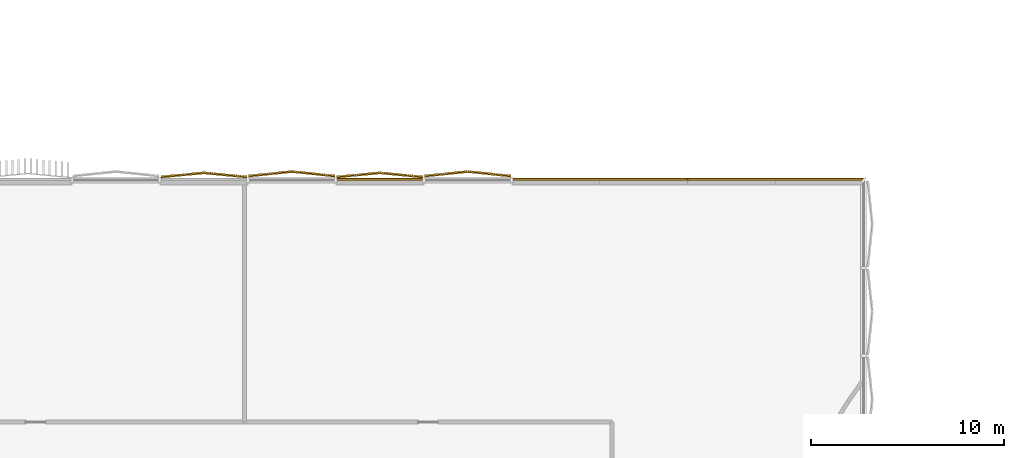
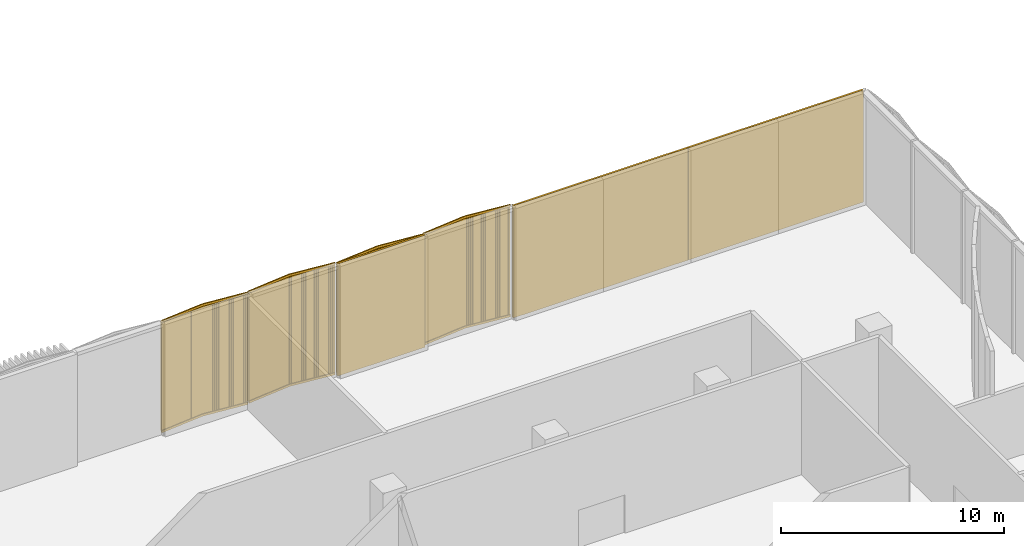
# One storey, part 31 of 32: 7 coverings.
"""IFC4 building model written with IfcOpenShell, lengths in metres."""

from ifc_helpers import new_model, si_unit, direction, frame, frame_2d, origin, origin_2d, place, context, subcontext, project, spatial, rectangle, extrude, source, transform, mapped, material, layer, layer_set, type_object, element, save


model = new_model("IFC4")

# Units and contexts
model_context = context("Model", 3, precision=1e-05, world=origin(), true_north=direction((0.0, 1.0)))
body_context = subcontext(model_context, "Body", "Model", "MODEL_VIEW")
ifc_project = project(units=[si_unit("LENGTHUNIT", "METRE"), si_unit("AREAUNIT", "SQUARE_METRE"), si_unit("VOLUMEUNIT", "CUBIC_METRE"), si_unit("PLANEANGLEUNIT", "RADIAN"), si_unit("MASSUNIT", "GRAM", prefix="KILO")], contexts=[model_context])

# Site, building, storey
site_placement = place(None, origin())
site = spatial("IfcSite", under=ifc_project, at=site_placement, CompositionType="ELEMENT")
building_placement = place(site_placement, origin())
building = spatial("IfcBuilding", under=site, at=building_placement, Name="Tamra Quay Hotel Tower", CompositionType="ELEMENT")
storey_placement = place(building_placement, frame((0.0, 0.0, 7.5)))
storey = spatial("IfcBuildingStorey", under=building, at=storey_placement, Name="L01", CompositionType="ELEMENT", Elevation=7.5)

# Coverings
ifc_material_1 = material(Name="Precast concrete M60 terracotta-coloured pierced relief", Category="masonry")
ifc_layer = layer(ifc_material_1, 0.10009765625)
ifc_layer_set = layer_set([ifc_layer], Name="PIERCED RELIEF PANEL 100")
covering_type_1 = type_object("IfcCoveringType", Name="PIERCED RELIEF PANEL 100", PredefinedType="CLADDING", material=ifc_layer_set)
for number, where, z_axis, x_axis, name in (
    (1, (-34.546142578125, 32.050048828125, 0.0), (0.0, 0.0, 1.0), (-1.0, 0.0, 0.0), "Relief panel L01.NW.11"),
    (2, (-43.638427734375, 32.050048828125, 0.0), (0.0, 0.0, 1.0), (-1.0, 0.0, 0.0), "Relief panel L01.NW.13"),
):
    element("IfcCovering", number, at=place(storey_placement, frame(where, z_axis=z_axis, x_axis=x_axis)), inside=storey, type_object=covering_type_1, Name=name, PredefinedType="CLADDING", context=body_context, shape_type="SweptSolid", body=[
        extrude(rectangle(XDim=9.072265625, YDim=0.10009765625, at=origin_2d()), origin(), (0.0, 0.0, 1.0), 6.14990234375),
    ])
covering_placement = place(storey_placement, frame((-55.00390625, 32.050048828125, 0.0), z_axis=(0.0, 0.0, 1.0), x_axis=(-1.0, 0.0, 0.0)))
element("IfcCovering", 3, at=covering_placement, inside=storey, type_object=covering_type_1, Name="Relief panel L01.NW.16", PredefinedType="CLADDING", context=body_context, shape_type="SweptSolid", body=[
    extrude(rectangle(XDim=4.526123046875, YDim=0.10009765625, at=origin_2d()), origin(), (0.0, 0.0, 1.0), 6.14990234375),
])
ifc_material_2 = material(Name="Terracotta baguette extruded", Category="masonry")
covering_type_2 = type_object("IfcCoveringType", Name="BAGUETTE SCREEN PODIUM-SHALLOW H6150", PredefinedType="USERDEFINED", material=ifc_material_2)
shared_shape_1 = source(origin(), body_context, "Body", "SweptSolid", [
    extrude(rectangle(XDim=2.244873046875, YDim=0.06005859375, at=frame_2d((1.12255859375, 0.030029296875))), frame((-2.23876953125, -0.0576171875, -0.1201171875), z_axis=(0.0, 0.0, 1.0), x_axis=(0.994521895368, -0.104528463268, 0.0)), (0.0, 0.0, 1.0), 0.1201171875),
    extrude(rectangle(XDim=2.244873046875, YDim=0.06005859375, at=frame_2d((1.12255859375, 0.030029296875))), frame((-2.23876953125, -0.0576171875, -6.14990234375), z_axis=(0.0, 0.0, 1.0), x_axis=(0.994521895368, -0.104528463268, 0.0)), (0.0, 0.0, 1.0), 0.1201171875),
    extrude(rectangle(XDim=0.094970703125, YDim=0.10009765625, at=frame_2d((0.04736328125, 0.050048828125))), frame((-2.229248046875, -0.13330078125, -6.090087890625)), (0.0, 0.0, 1.0), 6.030029296875),
    extrude(rectangle(XDim=0.094970703125, YDim=0.10009765625, at=frame_2d((0.04736328125, 0.050048828125))), frame((-2.127685546875, -0.14404296875, -6.090087890625)), (0.0, 0.0, 1.0), 6.030029296875),
    extrude(rectangle(XDim=0.094970703125, YDim=0.10009765625, at=frame_2d((0.04736328125, 0.050048828125))), frame((-2.0263671875, -0.154541015625, -6.090087890625)), (0.0, 0.0, 1.0), 6.030029296875),
    extrude(rectangle(XDim=0.094970703125, YDim=0.10009765625, at=frame_2d((0.04736328125, 0.050048828125))), frame((-1.9248046875, -0.165283203125, -6.090087890625)), (0.0, 0.0, 1.0), 6.030029296875),
    extrude(rectangle(XDim=0.094970703125, YDim=0.10009765625, at=frame_2d((0.04736328125, 0.050048828125))), frame((-1.8232421875, -0.176025390625, -6.090087890625)), (0.0, 0.0, 1.0), 6.030029296875),
    extrude(rectangle(XDim=0.094970703125, YDim=0.10009765625, at=frame_2d((0.04736328125, 0.050048828125))), frame((-1.721923828125, -0.186767578125, -6.090087890625)), (0.0, 0.0, 1.0), 6.030029296875),
    extrude(rectangle(XDim=0.094970703125, YDim=0.10009765625, at=frame_2d((0.04736328125, 0.050048828125))), frame((-1.620361328125, -0.197265625, -6.090087890625)), (0.0, 0.0, 1.0), 6.030029296875),
    extrude(rectangle(XDim=0.094970703125, YDim=0.10009765625, at=frame_2d((0.04736328125, 0.050048828125))), frame((-1.518798828125, -0.2080078125, -6.090087890625)), (0.0, 0.0, 1.0), 6.030029296875),
    extrude(rectangle(XDim=0.094970703125, YDim=0.10009765625, at=frame_2d((0.04736328125, 0.050048828125))), frame((-1.41748046875, -0.21875, -6.090087890625)), (0.0, 0.0, 1.0), 6.030029296875),
    extrude(rectangle(XDim=0.094970703125, YDim=0.10009765625, at=frame_2d((0.04736328125, 0.050048828125))), frame((-1.31591796875, -0.229248046875, -6.090087890625)), (0.0, 0.0, 1.0), 6.030029296875),
    extrude(rectangle(XDim=0.094970703125, YDim=0.10009765625, at=frame_2d((0.04736328125, 0.050048828125))), frame((-1.214599609375, -0.239990234375, -6.090087890625)), (0.0, 0.0, 1.0), 6.030029296875),
    extrude(rectangle(XDim=0.094970703125, YDim=0.10009765625, at=frame_2d((0.04736328125, 0.050048828125))), frame((-1.113037109375, -0.250732421875, -6.090087890625)), (0.0, 0.0, 1.0), 6.030029296875),
    extrude(rectangle(XDim=0.094970703125, YDim=0.10009765625, at=frame_2d((0.04736328125, 0.050048828125))), frame((-1.011474609375, -0.26123046875, -6.090087890625)), (0.0, 0.0, 1.0), 6.030029296875),
    extrude(rectangle(XDim=0.094970703125, YDim=0.10009765625, at=frame_2d((0.04736328125, 0.050048828125))), frame((-0.91015625, -0.27197265625, -6.090087890625)), (0.0, 0.0, 1.0), 6.030029296875),
    extrude(rectangle(XDim=0.094970703125, YDim=0.10009765625, at=frame_2d((0.04736328125, 0.050048828125))), frame((-0.80859375, -0.28271484375, -6.090087890625)), (0.0, 0.0, 1.0), 6.030029296875),
    extrude(rectangle(XDim=0.094970703125, YDim=0.10009765625, at=frame_2d((0.04736328125, 0.050048828125))), frame((-0.70703125, -0.293212890625, -6.090087890625)), (0.0, 0.0, 1.0), 6.030029296875),
    extrude(rectangle(XDim=0.094970703125, YDim=0.10009765625, at=frame_2d((0.04736328125, 0.050048828125))), frame((-0.605712890625, -0.303955078125, -6.090087890625)), (0.0, 0.0, 1.0), 6.030029296875),
    extrude(rectangle(XDim=0.094970703125, YDim=0.10009765625, at=frame_2d((0.04736328125, 0.050048828125))), frame((-0.504150390625, -0.314697265625, -6.090087890625)), (0.0, 0.0, 1.0), 6.030029296875),
    extrude(rectangle(XDim=0.094970703125, YDim=0.10009765625, at=frame_2d((0.04736328125, 0.050048828125))), frame((-0.402587890625, -0.325439453125, -6.090087890625)), (0.0, 0.0, 1.0), 6.030029296875),
    extrude(rectangle(XDim=0.094970703125, YDim=0.10009765625, at=frame_2d((0.04736328125, 0.050048828125))), frame((-0.30126953125, -0.3359375, -6.090087890625)), (0.0, 0.0, 1.0), 6.030029296875),
    extrude(rectangle(XDim=0.094970703125, YDim=0.10009765625, at=frame_2d((0.04736328125, 0.050048828125))), frame((-0.19970703125, -0.3466796875, -6.090087890625)), (0.0, 0.0, 1.0), 6.030029296875),
    extrude(rectangle(XDim=0.094970703125, YDim=0.10009765625, at=frame_2d((0.04736328125, 0.050048828125))), frame((-0.09814453125, -0.357421875, -6.090087890625)), (0.0, 0.0, 1.0), 6.030029296875),
    extrude(rectangle(XDim=2.244873046875, YDim=0.06005859375, at=frame_2d((1.12255859375, 0.030029296875))), frame((0.00634765625, -0.292236328125, -0.1201171875), z_axis=(0.0, 0.0, 1.0), x_axis=(0.994521895368, 0.104528463268, 0.0)), (0.0, 0.0, 1.0), 0.1201171875),
    extrude(rectangle(XDim=2.244873046875, YDim=0.06005859375, at=frame_2d((1.12255859375, 0.030029296875))), frame((0.00634765625, -0.292236328125, -6.14990234375), z_axis=(0.0, 0.0, 1.0), x_axis=(0.994521895368, 0.104528463268, 0.0)), (0.0, 0.0, 1.0), 0.1201171875),
    extrude(rectangle(XDim=0.094970703125, YDim=0.10009765625, at=frame_2d((0.04736328125, 0.050048828125))), frame((0.003173828125, -0.357421875, -6.090087890625)), (0.0, 0.0, 1.0), 6.030029296875),
    extrude(rectangle(XDim=0.094970703125, YDim=0.10009765625, at=frame_2d((0.04736328125, 0.050048828125))), frame((0.104736328125, -0.3466796875, -6.090087890625)), (0.0, 0.0, 1.0), 6.030029296875),
    extrude(rectangle(XDim=0.094970703125, YDim=0.10009765625, at=frame_2d((0.04736328125, 0.050048828125))), frame((0.206298828125, -0.3359375, -6.090087890625)), (0.0, 0.0, 1.0), 6.030029296875),
    extrude(rectangle(XDim=0.094970703125, YDim=0.10009765625, at=frame_2d((0.04736328125, 0.050048828125))), frame((0.3076171875, -0.325439453125, -6.090087890625)), (0.0, 0.0, 1.0), 6.030029296875),
    extrude(rectangle(XDim=0.094970703125, YDim=0.10009765625, at=frame_2d((0.04736328125, 0.050048828125))), frame((0.4091796875, -0.314697265625, -6.090087890625)), (0.0, 0.0, 1.0), 6.030029296875),
    extrude(rectangle(XDim=0.094970703125, YDim=0.10009765625, at=frame_2d((0.04736328125, 0.050048828125))), frame((0.510498046875, -0.303955078125, -6.090087890625)), (0.0, 0.0, 1.0), 6.030029296875),
    extrude(rectangle(XDim=0.094970703125, YDim=0.10009765625, at=frame_2d((0.04736328125, 0.050048828125))), frame((0.612060546875, -0.293212890625, -6.090087890625)), (0.0, 0.0, 1.0), 6.030029296875),
    extrude(rectangle(XDim=0.094970703125, YDim=0.10009765625, at=frame_2d((0.04736328125, 0.050048828125))), frame((0.713623046875, -0.28271484375, -6.090087890625)), (0.0, 0.0, 1.0), 6.030029296875),
    extrude(rectangle(XDim=0.094970703125, YDim=0.10009765625, at=frame_2d((0.04736328125, 0.050048828125))), frame((0.81494140625, -0.27197265625, -6.090087890625)), (0.0, 0.0, 1.0), 6.030029296875),
    extrude(rectangle(XDim=0.094970703125, YDim=0.10009765625, at=frame_2d((0.04736328125, 0.050048828125))), frame((0.91650390625, -0.26123046875, -6.090087890625)), (0.0, 0.0, 1.0), 6.030029296875),
    extrude(rectangle(XDim=0.094970703125, YDim=0.10009765625, at=frame_2d((0.04736328125, 0.050048828125))), frame((1.01806640625, -0.250732421875, -6.090087890625)), (0.0, 0.0, 1.0), 6.030029296875),
    extrude(rectangle(XDim=0.094970703125, YDim=0.10009765625, at=frame_2d((0.04736328125, 0.050048828125))), frame((1.119384765625, -0.239990234375, -6.090087890625)), (0.0, 0.0, 1.0), 6.030029296875),
    extrude(rectangle(XDim=0.094970703125, YDim=0.10009765625, at=frame_2d((0.04736328125, 0.050048828125))), frame((1.220947265625, -0.229248046875, -6.090087890625)), (0.0, 0.0, 1.0), 6.030029296875),
    extrude(rectangle(XDim=0.094970703125, YDim=0.10009765625, at=frame_2d((0.04736328125, 0.050048828125))), frame((1.322509765625, -0.21875, -6.090087890625)), (0.0, 0.0, 1.0), 6.030029296875),
    extrude(rectangle(XDim=0.094970703125, YDim=0.10009765625, at=frame_2d((0.04736328125, 0.050048828125))), frame((1.423828125, -0.2080078125, -6.090087890625)), (0.0, 0.0, 1.0), 6.030029296875),
    extrude(rectangle(XDim=0.094970703125, YDim=0.10009765625, at=frame_2d((0.04736328125, 0.050048828125))), frame((1.525390625, -0.197265625, -6.090087890625)), (0.0, 0.0, 1.0), 6.030029296875),
    extrude(rectangle(XDim=0.094970703125, YDim=0.10009765625, at=frame_2d((0.04736328125, 0.050048828125))), frame((1.626953125, -0.186767578125, -6.090087890625)), (0.0, 0.0, 1.0), 6.030029296875),
    extrude(rectangle(XDim=0.094970703125, YDim=0.10009765625, at=frame_2d((0.04736328125, 0.050048828125))), frame((1.728271484375, -0.176025390625, -6.090087890625)), (0.0, 0.0, 1.0), 6.030029296875),
    extrude(rectangle(XDim=0.094970703125, YDim=0.10009765625, at=frame_2d((0.04736328125, 0.050048828125))), frame((1.829833984375, -0.165283203125, -6.090087890625)), (0.0, 0.0, 1.0), 6.030029296875),
    extrude(rectangle(XDim=0.094970703125, YDim=0.10009765625, at=frame_2d((0.04736328125, 0.050048828125))), frame((1.931396484375, -0.154541015625, -6.090087890625)), (0.0, 0.0, 1.0), 6.030029296875),
    extrude(rectangle(XDim=0.094970703125, YDim=0.10009765625, at=frame_2d((0.04736328125, 0.050048828125))), frame((2.03271484375, -0.14404296875, -6.090087890625)), (0.0, 0.0, 1.0), 6.030029296875),
    extrude(rectangle(XDim=0.094970703125, YDim=0.10009765625, at=frame_2d((0.04736328125, 0.050048828125))), frame((2.13427734375, -0.13330078125, -6.090087890625)), (0.0, 0.0, 1.0), 6.030029296875),
])
for number, where, z_axis, x_axis, name in (
    (4, (-50.457763671875, 32.14794921875, 6.14990234375), (0.0, 0.0, 1.0), (-1.0, 0.0, 0.0), "Baguette screen L01.NW.f00"),
    (5, (-59.550048828125, 32.14794921875, 6.14990234375), (0.0, 0.0, 1.0), (-1.0, 0.0, 0.0), "Baguette screen L01.NW.f01"),
):
    element("IfcCovering", number, at=place(storey_placement, frame(where, z_axis=z_axis, x_axis=x_axis)), inside=storey, type_object=covering_type_2, Name=name, ObjectType="BAGUETTE SCREEN", PredefinedType="USERDEFINED", context=body_context, shape_type="MappedRepresentation", body=[
        mapped(shared_shape_1, transform((0.0, 0.0, 0.0), scale=1.0)),
    ])
covering_type_3 = type_object("IfcCoveringType", Name="BAGUETTE SCREEN NW-SHALLOW H6150", PredefinedType="USERDEFINED", material=ifc_material_2)
shared_shape_2 = source(origin(), body_context, "Body", "SweptSolid", [
    extrude(rectangle(XDim=2.242919921875, YDim=0.06005859375, at=frame_2d((1.12158203125, 0.030029296875))), frame((-2.23828125, -0.0576171875, -0.1201171875), z_axis=(0.0, 0.0, 1.0), x_axis=(0.995396198367, -0.09584575252, 0.0)), (0.0, 0.0, 1.0), 0.1201171875),
    extrude(rectangle(XDim=2.242919921875, YDim=0.06005859375, at=frame_2d((1.12158203125, 0.030029296875))), frame((-2.23828125, -0.0576171875, -6.14990234375), z_axis=(0.0, 0.0, 1.0), x_axis=(0.995396198367, -0.09584575252, 0.0)), (0.0, 0.0, 1.0), 0.1201171875),
    extrude(rectangle(XDim=0.094970703125, YDim=0.10009765625, at=frame_2d((0.04736328125, 0.050048828125))), frame((-2.229248046875, -0.1328125, -6.090087890625)), (0.0, 0.0, 1.0), 6.030029296875),
    extrude(rectangle(XDim=0.094970703125, YDim=0.10009765625, at=frame_2d((0.04736328125, 0.050048828125))), frame((-2.127685546875, -0.142578125, -6.090087890625)), (0.0, 0.0, 1.0), 6.030029296875),
    extrude(rectangle(XDim=0.094970703125, YDim=0.10009765625, at=frame_2d((0.04736328125, 0.050048828125))), frame((-2.0263671875, -0.15234375, -6.090087890625)), (0.0, 0.0, 1.0), 6.030029296875),
    extrude(rectangle(XDim=0.094970703125, YDim=0.10009765625, at=frame_2d((0.04736328125, 0.050048828125))), frame((-1.9248046875, -0.162109375, -6.090087890625)), (0.0, 0.0, 1.0), 6.030029296875),
    extrude(rectangle(XDim=0.094970703125, YDim=0.10009765625, at=frame_2d((0.04736328125, 0.050048828125))), frame((-1.8232421875, -0.171875, -6.090087890625)), (0.0, 0.0, 1.0), 6.030029296875),
    extrude(rectangle(XDim=0.094970703125, YDim=0.10009765625, at=frame_2d((0.04736328125, 0.050048828125))), frame((-1.721923828125, -0.181640625, -6.090087890625)), (0.0, 0.0, 1.0), 6.030029296875),
    extrude(rectangle(XDim=0.094970703125, YDim=0.10009765625, at=frame_2d((0.04736328125, 0.050048828125))), frame((-1.620361328125, -0.19140625, -6.090087890625)), (0.0, 0.0, 1.0), 6.030029296875),
    extrude(rectangle(XDim=0.094970703125, YDim=0.10009765625, at=frame_2d((0.04736328125, 0.050048828125))), frame((-1.518798828125, -0.201171875, -6.090087890625)), (0.0, 0.0, 1.0), 6.030029296875),
    extrude(rectangle(XDim=0.094970703125, YDim=0.10009765625, at=frame_2d((0.04736328125, 0.050048828125))), frame((-1.41748046875, -0.2109375, -6.090087890625)), (0.0, 0.0, 1.0), 6.030029296875),
    extrude(rectangle(XDim=0.094970703125, YDim=0.10009765625, at=frame_2d((0.04736328125, 0.050048828125))), frame((-1.31591796875, -0.220947265625, -6.090087890625)), (0.0, 0.0, 1.0), 6.030029296875),
    extrude(rectangle(XDim=0.094970703125, YDim=0.10009765625, at=frame_2d((0.04736328125, 0.050048828125))), frame((-1.214599609375, -0.230712890625, -6.090087890625)), (0.0, 0.0, 1.0), 6.030029296875),
    extrude(rectangle(XDim=0.094970703125, YDim=0.10009765625, at=frame_2d((0.04736328125, 0.050048828125))), frame((-1.113037109375, -0.240478515625, -6.090087890625)), (0.0, 0.0, 1.0), 6.030029296875),
    extrude(rectangle(XDim=0.094970703125, YDim=0.10009765625, at=frame_2d((0.04736328125, 0.050048828125))), frame((-1.011474609375, -0.250244140625, -6.090087890625)), (0.0, 0.0, 1.0), 6.030029296875),
    extrude(rectangle(XDim=0.094970703125, YDim=0.10009765625, at=frame_2d((0.04736328125, 0.050048828125))), frame((-0.91015625, -0.260009765625, -6.090087890625)), (0.0, 0.0, 1.0), 6.030029296875),
    extrude(rectangle(XDim=0.094970703125, YDim=0.10009765625, at=frame_2d((0.04736328125, 0.050048828125))), frame((-0.80859375, -0.269775390625, -6.090087890625)), (0.0, 0.0, 1.0), 6.030029296875),
    extrude(rectangle(XDim=0.094970703125, YDim=0.10009765625, at=frame_2d((0.04736328125, 0.050048828125))), frame((-0.70703125, -0.279541015625, -6.090087890625)), (0.0, 0.0, 1.0), 6.030029296875),
    extrude(rectangle(XDim=0.094970703125, YDim=0.10009765625, at=frame_2d((0.04736328125, 0.050048828125))), frame((-0.605712890625, -0.289306640625, -6.090087890625)), (0.0, 0.0, 1.0), 6.030029296875),
    extrude(rectangle(XDim=0.094970703125, YDim=0.10009765625, at=frame_2d((0.04736328125, 0.050048828125))), frame((-0.504150390625, -0.299072265625, -6.090087890625)), (0.0, 0.0, 1.0), 6.030029296875),
    extrude(rectangle(XDim=0.094970703125, YDim=0.10009765625, at=frame_2d((0.04736328125, 0.050048828125))), frame((-0.402587890625, -0.308837890625, -6.090087890625)), (0.0, 0.0, 1.0), 6.030029296875),
    extrude(rectangle(XDim=0.094970703125, YDim=0.10009765625, at=frame_2d((0.04736328125, 0.050048828125))), frame((-0.30126953125, -0.318603515625, -6.090087890625)), (0.0, 0.0, 1.0), 6.030029296875),
    extrude(rectangle(XDim=0.094970703125, YDim=0.10009765625, at=frame_2d((0.04736328125, 0.050048828125))), frame((-0.19970703125, -0.328369140625, -6.090087890625)), (0.0, 0.0, 1.0), 6.030029296875),
    extrude(rectangle(XDim=0.094970703125, YDim=0.10009765625, at=frame_2d((0.04736328125, 0.050048828125))), frame((-0.09814453125, -0.338134765625, -6.090087890625)), (0.0, 0.0, 1.0), 6.030029296875),
    extrude(rectangle(XDim=2.242919921875, YDim=0.06005859375, at=frame_2d((1.12158203125, 0.030029296875))), frame((0.005859375, -0.272705078125, -0.1201171875), z_axis=(0.0, 0.0, 1.0), x_axis=(0.995396198367, 0.09584575252, 0.0)), (0.0, 0.0, 1.0), 0.1201171875),
    extrude(rectangle(XDim=2.242919921875, YDim=0.06005859375, at=frame_2d((1.12158203125, 0.030029296875))), frame((0.005859375, -0.272705078125, -6.14990234375), z_axis=(0.0, 0.0, 1.0), x_axis=(0.995396198367, 0.09584575252, 0.0)), (0.0, 0.0, 1.0), 0.1201171875),
    extrude(rectangle(XDim=0.094970703125, YDim=0.10009765625, at=frame_2d((0.04736328125, 0.050048828125))), frame((0.003173828125, -0.338134765625, -6.090087890625)), (0.0, 0.0, 1.0), 6.030029296875),
    extrude(rectangle(XDim=0.094970703125, YDim=0.10009765625, at=frame_2d((0.04736328125, 0.050048828125))), frame((0.104736328125, -0.328369140625, -6.090087890625)), (0.0, 0.0, 1.0), 6.030029296875),
    extrude(rectangle(XDim=0.094970703125, YDim=0.10009765625, at=frame_2d((0.04736328125, 0.050048828125))), frame((0.206298828125, -0.318603515625, -6.090087890625)), (0.0, 0.0, 1.0), 6.030029296875),
    extrude(rectangle(XDim=0.094970703125, YDim=0.10009765625, at=frame_2d((0.04736328125, 0.050048828125))), frame((0.3076171875, -0.308837890625, -6.090087890625)), (0.0, 0.0, 1.0), 6.030029296875),
    extrude(rectangle(XDim=0.094970703125, YDim=0.10009765625, at=frame_2d((0.04736328125, 0.050048828125))), frame((0.4091796875, -0.299072265625, -6.090087890625)), (0.0, 0.0, 1.0), 6.030029296875),
    extrude(rectangle(XDim=0.094970703125, YDim=0.10009765625, at=frame_2d((0.04736328125, 0.050048828125))), frame((0.5107421875, -0.289306640625, -6.090087890625)), (0.0, 0.0, 1.0), 6.030029296875),
    extrude(rectangle(XDim=0.094970703125, YDim=0.10009765625, at=frame_2d((0.04736328125, 0.050048828125))), frame((0.612060546875, -0.279541015625, -6.090087890625)), (0.0, 0.0, 1.0), 6.030029296875),
    extrude(rectangle(XDim=0.094970703125, YDim=0.10009765625, at=frame_2d((0.04736328125, 0.050048828125))), frame((0.713623046875, -0.269775390625, -6.090087890625)), (0.0, 0.0, 1.0), 6.030029296875),
    extrude(rectangle(XDim=0.094970703125, YDim=0.10009765625, at=frame_2d((0.04736328125, 0.050048828125))), frame((0.81494140625, -0.260009765625, -6.090087890625)), (0.0, 0.0, 1.0), 6.030029296875),
    extrude(rectangle(XDim=0.094970703125, YDim=0.10009765625, at=frame_2d((0.04736328125, 0.050048828125))), frame((0.91650390625, -0.250244140625, -6.090087890625)), (0.0, 0.0, 1.0), 6.030029296875),
    extrude(rectangle(XDim=0.094970703125, YDim=0.10009765625, at=frame_2d((0.04736328125, 0.050048828125))), frame((1.01806640625, -0.240478515625, -6.090087890625)), (0.0, 0.0, 1.0), 6.030029296875),
    extrude(rectangle(XDim=0.094970703125, YDim=0.10009765625, at=frame_2d((0.04736328125, 0.050048828125))), frame((1.119384765625, -0.230712890625, -6.090087890625)), (0.0, 0.0, 1.0), 6.030029296875),
    extrude(rectangle(XDim=0.094970703125, YDim=0.10009765625, at=frame_2d((0.04736328125, 0.050048828125))), frame((1.220947265625, -0.220947265625, -6.090087890625)), (0.0, 0.0, 1.0), 6.030029296875),
    extrude(rectangle(XDim=0.094970703125, YDim=0.10009765625, at=frame_2d((0.04736328125, 0.050048828125))), frame((1.322509765625, -0.2109375, -6.090087890625)), (0.0, 0.0, 1.0), 6.030029296875),
    extrude(rectangle(XDim=0.094970703125, YDim=0.10009765625, at=frame_2d((0.04736328125, 0.050048828125))), frame((1.423828125, -0.201171875, -6.090087890625)), (0.0, 0.0, 1.0), 6.030029296875),
    extrude(rectangle(XDim=0.094970703125, YDim=0.10009765625, at=frame_2d((0.04736328125, 0.050048828125))), frame((1.525390625, -0.19140625, -6.090087890625)), (0.0, 0.0, 1.0), 6.030029296875),
    extrude(rectangle(XDim=0.094970703125, YDim=0.10009765625, at=frame_2d((0.04736328125, 0.050048828125))), frame((1.626953125, -0.181640625, -6.090087890625)), (0.0, 0.0, 1.0), 6.030029296875),
    extrude(rectangle(XDim=0.094970703125, YDim=0.10009765625, at=frame_2d((0.04736328125, 0.050048828125))), frame((1.728271484375, -0.171875, -6.090087890625)), (0.0, 0.0, 1.0), 6.030029296875),
    extrude(rectangle(XDim=0.094970703125, YDim=0.10009765625, at=frame_2d((0.04736328125, 0.050048828125))), frame((1.829833984375, -0.162109375, -6.090087890625)), (0.0, 0.0, 1.0), 6.030029296875),
    extrude(rectangle(XDim=0.094970703125, YDim=0.10009765625, at=frame_2d((0.04736328125, 0.050048828125))), frame((1.931396484375, -0.15234375, -6.090087890625)), (0.0, 0.0, 1.0), 6.030029296875),
    extrude(rectangle(XDim=0.094970703125, YDim=0.10009765625, at=frame_2d((0.04736328125, 0.050048828125))), frame((2.03271484375, -0.142578125, -6.090087890625)), (0.0, 0.0, 1.0), 6.030029296875),
    extrude(rectangle(XDim=0.094970703125, YDim=0.10009765625, at=frame_2d((0.04736328125, 0.050048828125))), frame((2.13427734375, -0.1328125, -6.090087890625)), (0.0, 0.0, 1.0), 6.030029296875),
])
for number, where, z_axis, x_axis, name in (
    (6, (-55.00390625, 32.10009765625, 6.14990234375), (0.0, 0.0, 1.0), (-1.0, 0.0, 0.0), "Baguette screen wing.L01.NW.16"),
    (7, (-64.09619140625, 32.10009765625, 6.14990234375), (0.0, 0.0, 1.0), (-1.0, 0.0, 0.0), "Baguette screen wing.L01.NW.18"),
):
    element("IfcCovering", number, at=place(storey_placement, frame(where, z_axis=z_axis, x_axis=x_axis)), inside=storey, type_object=covering_type_3, Name=name, ObjectType="BAGUETTE SCREEN", PredefinedType="USERDEFINED", context=body_context, shape_type="MappedRepresentation", body=[
        mapped(shared_shape_2, transform((0.0, 0.0, 0.0), scale=1.0)),
    ])

save(model, "model.ifc")
